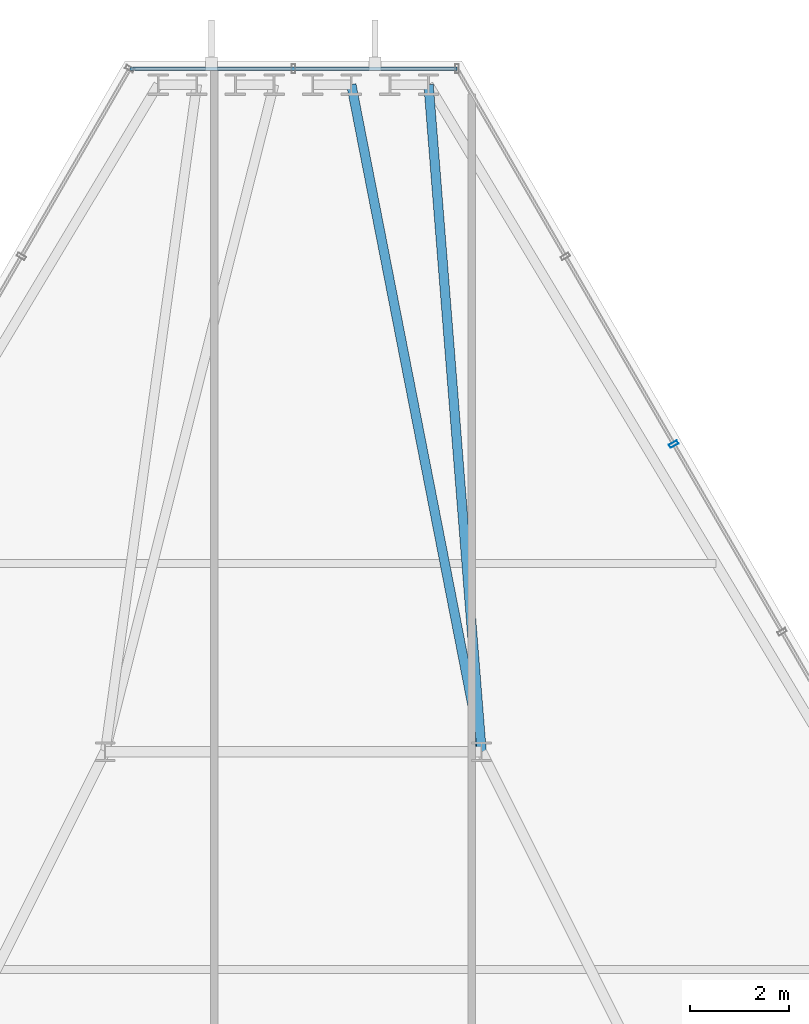
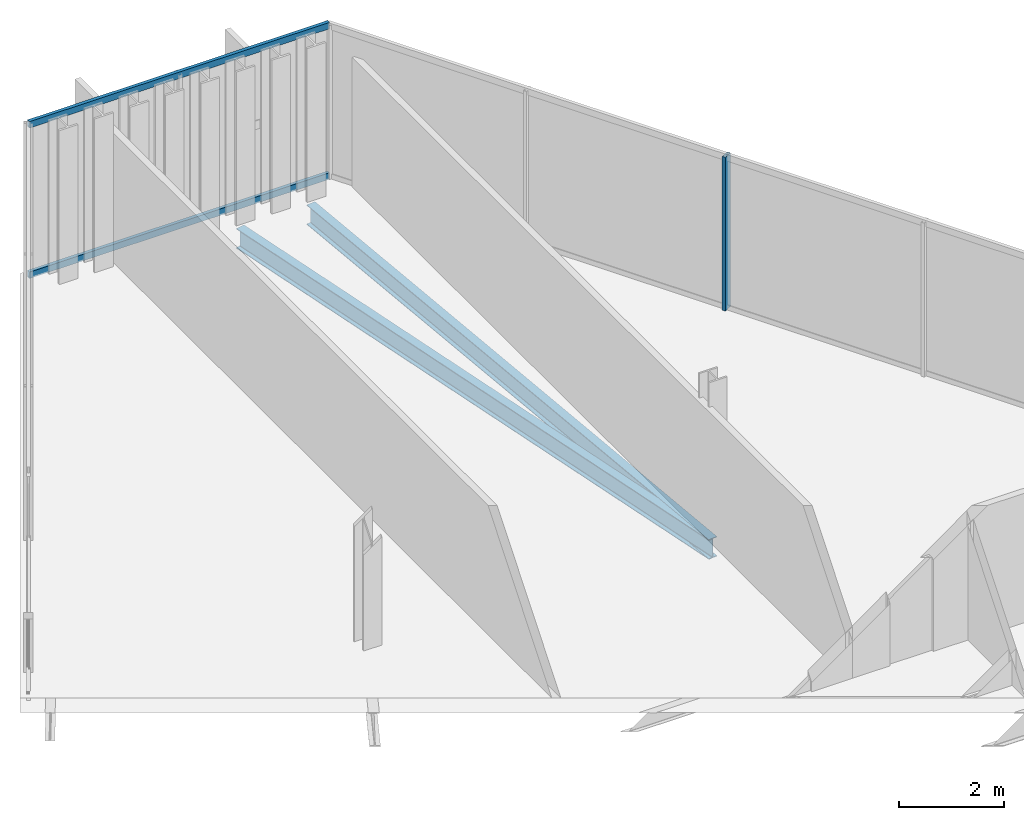
# One storey, part 21 of 29: 3 members, 2 beams, 2 elements without a shape of their own.
"""IFC4 building model written with IfcOpenShell, lengths in metres."""

from ifc_helpers import new_model, si_unit, direction, frame, origin, origin_2d, place, context, subcontext, project, spatial, hollow_rectangle, i_section, extrude, material, layer, layer_set, material_profile, profile_set, type_object, element, aggregate, save


model = new_model("IFC4")

# Units and contexts
model_context = context("Model", 3, precision=1e-05, world=origin(), true_north=direction((0.0, 1.0)))
body_context = subcontext(model_context, "Body", "Model", "MODEL_VIEW")
ifc_project = project(units=[si_unit("LENGTHUNIT", "METRE"), si_unit("AREAUNIT", "SQUARE_METRE"), si_unit("VOLUMEUNIT", "CUBIC_METRE"), si_unit("PLANEANGLEUNIT", "RADIAN"), si_unit("MASSUNIT", "GRAM", prefix="KILO")], contexts=[model_context])

# Site, building, storey
site_placement = place(None, origin())
site = spatial("IfcSite", under=ifc_project, at=site_placement, CompositionType="ELEMENT")
building_placement = place(site_placement, origin())
building = spatial("IfcBuilding", under=site, at=building_placement, Name="Ndaravel Arena Tower", CompositionType="ELEMENT")
storey_placement = place(building_placement, frame((0.0, 0.0, 244.60009765625)))
storey = spatial("IfcBuildingStorey", under=building, at=storey_placement, Name="L59", CompositionType="ELEMENT", Elevation=244.60009765625)

# Beams
ifc_material_1 = material(Name="Steel S355", Category="steel")
ifc_material_profile_1 = material_profile(ifc_material_1, i_section(OverallWidth=0.19140625, OverallDepth=0.4599609375, WebThickness=0.010009765625, FlangeThickness=0.01611328125, FilletRadius=0.01025390625, at=origin_2d()), Name="UB 457x191x82")
ifc_profile_set_1 = profile_set([ifc_material_profile_1], Name="Steel S355")
beam_type = type_object("IfcBeamType", Name="BM-GIRD-UB457", PredefinedType="BEAM", material=ifc_profile_set_1)
beam_1_placement = place(storey_placement, frame((44.72900390625, 44.669677734375, -0.4501953125), z_axis=(0.079264785217, -0.996853596986, 0.0), x_axis=(0.996853596986, 0.079264785217, 0.0)))
element("IfcBeam", 1, at=beam_1_placement, inside=storey, type_object=beam_type, Name="L59 Radial Floor Girder FG-11", PredefinedType="BEAM", context=body_context, shape_type="SweptSolid", body=[
    extrude(i_section(OverallWidth=0.19140625, OverallDepth=0.4599609375, WebThickness=0.010009765625, FlangeThickness=0.01611328125, FilletRadius=0.01025390625, at=origin_2d()), origin(), (0.0, 0.0, 1.0), 13.51220703125),
])
beam_2_placement = place(storey_placement, frame((43.169677734375, 44.669677734375, -0.4501953125), z_axis=(0.191659989697, -0.981461384034, 0.0), x_axis=(0.981461384034, 0.191659989697, 0.0)))
element("IfcBeam", 2, at=beam_2_placement, inside=storey, type_object=beam_type, Name="L59 Radial Floor Girder FG-13", PredefinedType="BEAM", context=body_context, shape_type="SweptSolid", body=[
    extrude(i_section(OverallWidth=0.19140625, OverallDepth=0.4599609375, WebThickness=0.010009765625, FlangeThickness=0.01611328125, FilletRadius=0.01025390625, at=origin_2d()), origin(), (0.0, 0.0, 1.0), 13.72412109375),
])

# Curtain wall, member
ifc_material_2 = material(Name="Aluminium", Category="aluminium")
ifc_layer_1 = layer(ifc_material_2, 0.179931640625)
ifc_layer_set_1 = layer_set([ifc_layer_1], Name="Aluminium")
curtain_wall_type_1 = type_object("IfcCurtainWallType", Name="CW-SYS-03", PredefinedType="NOTDEFINED", material=ifc_layer_set_1)
curtain_wall_1_placement = place(storey_placement, origin())
curtain_wall_1 = element("IfcCurtainWall", 3, at=curtain_wall_1_placement, inside=storey, type_object=curtain_wall_type_1, Name="L59 Faceted Crystal Curtain Wall CW-L59-E03", PredefinedType="NOTDEFINED")
ifc_material_3 = material(Name="Aluminium", Category="aluminium")
ifc_material_profile_2 = material_profile(ifc_material_3, hollow_rectangle(XDim=0.074951171875, YDim=0.179931640625, WallThickness=0.00390625, at=origin_2d()), Name="CW MULLION 75x180x4")
ifc_profile_set_2 = profile_set([ifc_material_profile_2], Name="Aluminium")
member_type_1 = type_object("IfcMemberType", Name="MEM-CW-MUL180", PredefinedType="MULLION", material=ifc_profile_set_2)
member_1_placement = place(storey_placement, frame((49.6796875, 37.41015625, 0.0), z_axis=(0.0, 0.0, 1.0), x_axis=(-0.5, 0.866025403784, 0.0)))
member_1 = element("IfcMember", 4, at=member_1_placement, type_object=member_type_1, Name="CW-L59-E03 Mullion 07", PredefinedType="MULLION", context=body_context, shape_type="SweptSolid", body=[
    extrude(hollow_rectangle(XDim=0.074951171875, YDim=0.179931640625, WallThickness=0.00390625, at=origin_2d()), origin(), (0.0, 0.0, 1.0), 3.579833984375),
])
aggregate(curtain_wall_1, [member_1])

# Curtain wall, members
ifc_material_4 = material(Name="Aluminium", Category="aluminium")
ifc_layer_2 = layer(ifc_material_4, 0.179931640625)
ifc_layer_set_2 = layer_set([ifc_layer_2], Name="Aluminium")
curtain_wall_type_2 = type_object("IfcCurtainWallType", Name="CW-SYS-01", PredefinedType="NOTDEFINED", material=ifc_layer_set_2)
curtain_wall_2_placement = place(storey_placement, origin())
curtain_wall_2 = element("IfcCurtainWall", 5, at=curtain_wall_2_placement, inside=storey, type_object=curtain_wall_type_2, Name="L59 Faceted Crystal Curtain Wall CW-L59-E04", PredefinedType="NOTDEFINED")
ifc_material_5 = material(Name="Aluminium", Category="aluminium")
ifc_material_profile_3 = material_profile(ifc_material_5, hollow_rectangle(XDim=0.074951171875, YDim=0.14990234375, WallThickness=0.00390625, at=origin_2d()), Name="CW TRANSOM 75x150x4")
ifc_profile_set_3 = profile_set([ifc_material_profile_3], Name="Aluminium")
member_type_2 = type_object("IfcMemberType", Name="MEM-CW-TRN150", PredefinedType="USERDEFINED", material=ifc_profile_set_3)
member_2_placement = place(storey_placement, frame((45.3037109375, 44.989501953125, 0.039794921875), z_axis=(-1.0, 0.0, 0.0), x_axis=(0.0, -1.0, 0.0)))
member_2 = element("IfcMember", 6, at=member_2_placement, type_object=member_type_2, Name="CW-L59-E04 Transom 01", ObjectType="TRANSOM", PredefinedType="USERDEFINED", context=body_context, shape_type="SweptSolid", body=[
    extrude(hollow_rectangle(XDim=0.074951171875, YDim=0.14990234375, WallThickness=0.00390625, at=origin_2d()), origin(), (0.0, 0.0, 1.0), 6.607421875),
])
member_3_placement = place(storey_placement, frame((45.3037109375, 44.989501953125, 3.539794921875), z_axis=(-1.0, 0.0, 0.0), x_axis=(0.0, -1.0, 0.0)))
member_3 = element("IfcMember", 7, at=member_3_placement, type_object=member_type_2, Name="CW-L59-E04 Transom 02", ObjectType="TRANSOM", PredefinedType="USERDEFINED", context=body_context, shape_type="SweptSolid", body=[
    extrude(hollow_rectangle(XDim=0.074951171875, YDim=0.14990234375, WallThickness=0.00390625, at=origin_2d()), origin(), (0.0, 0.0, 1.0), 6.607421875),
])
aggregate(curtain_wall_2, [member_2, member_3])

save(model, "model.ifc")
